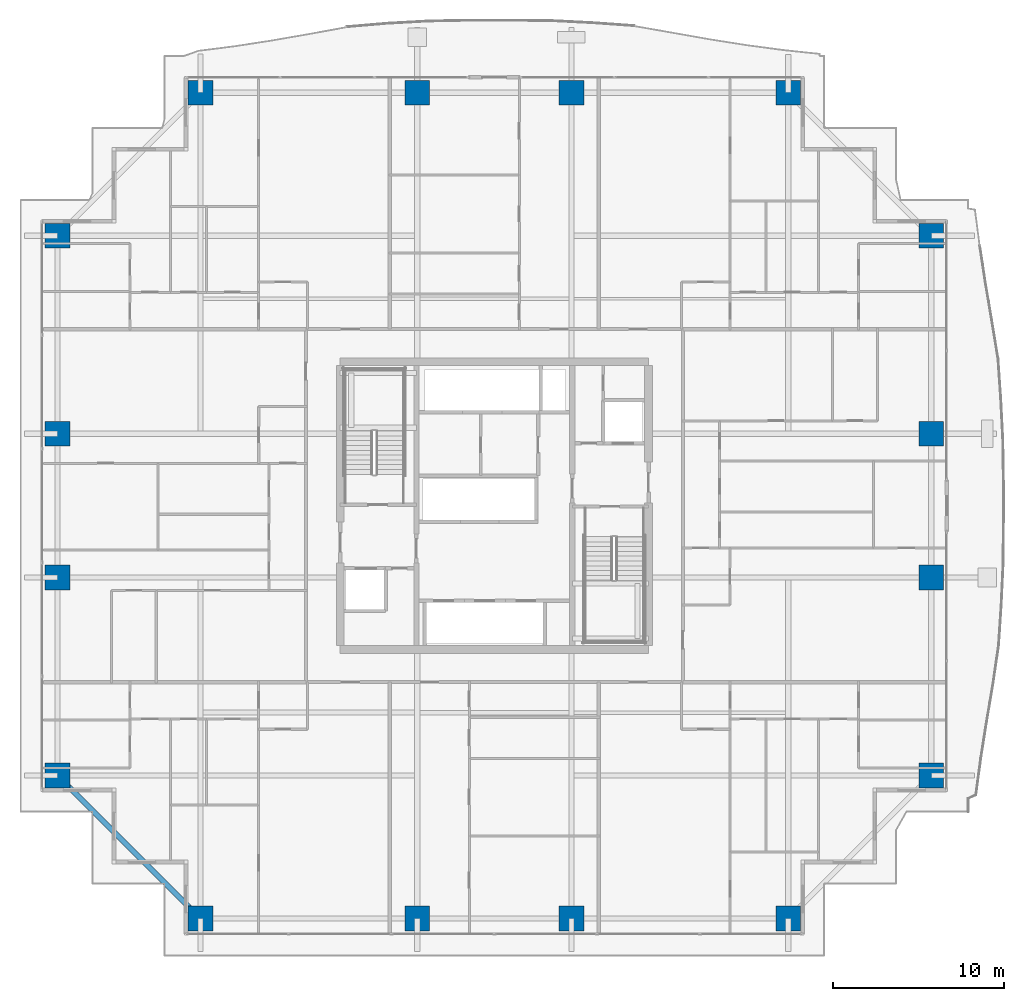
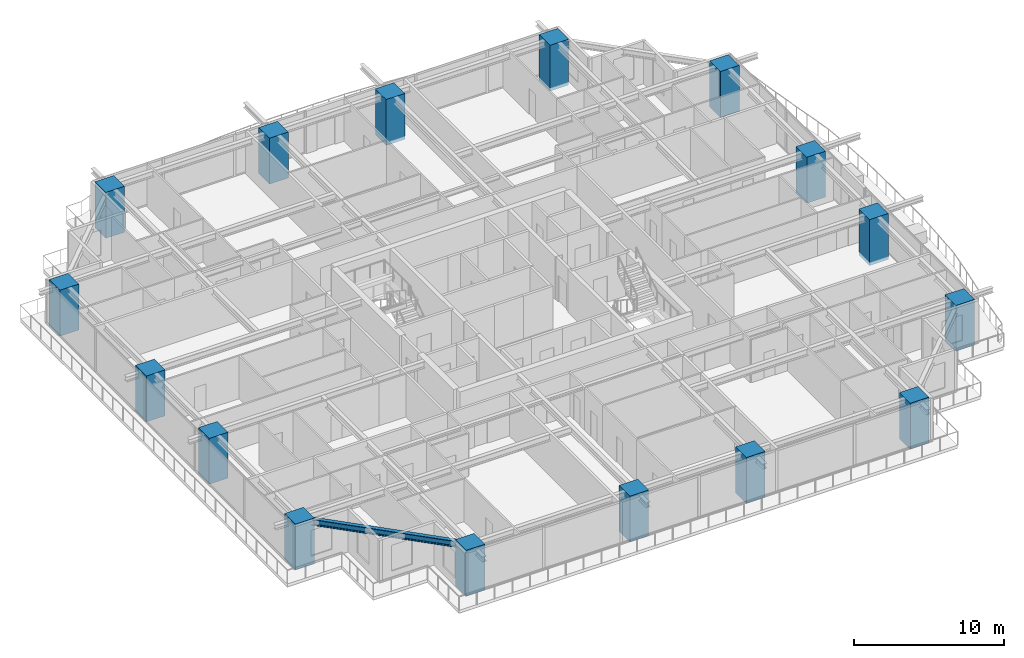
# One storey, part 1 of 37: 16 columns, 1 beam.
"""IFC4 building model written with IfcOpenShell, lengths in metres."""

from ifc_helpers import new_model, si_unit, direction, frame, origin, origin_2d, place, context, subcontext, project, spatial, rectangle, i_section, extrude, source, transform, mapped, material, material_profile, profile_set, type_object, element, save


model = new_model("IFC4")

# Units and contexts
model_context = context("Model", 3, precision=1e-05, world=origin(), true_north=direction((0.0, 1.0)))
body_context = subcontext(model_context, "Body", "Model", "MODEL_VIEW")
ifc_project = project(units=[si_unit("LENGTHUNIT", "METRE"), si_unit("AREAUNIT", "SQUARE_METRE"), si_unit("VOLUMEUNIT", "CUBIC_METRE"), si_unit("PLANEANGLEUNIT", "RADIAN"), si_unit("MASSUNIT", "GRAM", prefix="KILO")], contexts=[model_context])

# Site, building, storey
site_placement = place(None, origin())
site = spatial("IfcSite", under=ifc_project, at=site_placement, CompositionType="ELEMENT")
building_placement = place(site_placement, origin())
building = spatial("IfcBuilding", under=site, at=building_placement, Name="Serunith Strait Residences", CompositionType="ELEMENT")
storey_placement = place(building_placement, frame((0.0, 0.0, 34.199951171875)))
storey = spatial("IfcBuildingStorey", under=building, at=storey_placement, Name="L07", CompositionType="ELEMENT", Elevation=34.199951171875)

# Columns
ifc_material_1 = material(Name="Concrete C90/105", Category="concrete")
ifc_material_profile_1 = material_profile(ifc_material_1, rectangle(XDim=1.449951171875, YDim=1.449951171875, at=origin_2d()), Name="RC 1450x1450")
ifc_profile_set_1 = profile_set([ifc_material_profile_1], Name="Concrete C90/105")
column_type = type_object("IfcColumnType", Name="COL-RC-1450", PredefinedType="COLUMN", material=ifc_profile_set_1)
shared_shape_1 = source(origin(), body_context, "Body", "SweptSolid", [
    extrude(rectangle(XDim=1.449951171875, YDim=1.449951171875, at=origin_2d()), origin(), (0.0, 0.0, 1.0), 3.75),
])
for number, where, z_axis, x_axis, name in (
    (1, (15.25, 1.10009765625, -0.260009765625), (0.0, 0.0, 1.0), (1.0, 0.0, 0.0), "L07 Tower Mega-Column TC-S1"),
    (2, (27.89990234375, 1.10009765625, -0.260009765625), (0.0, 0.0, 1.0), (1.0, 0.0, 0.0), "L07 Tower Mega-Column TC-S2"),
    (3, (36.89990234375, 1.10009765625, -0.260009765625), (0.0, 0.0, 1.0), (1.0, 0.0, 0.0), "L07 Tower Mega-Column TC-S3"),
    (4, (49.550048828125, 1.10009765625, -0.260009765625), (0.0, 0.0, 1.0), (1.0, 0.0, 0.0), "L07 Tower Mega-Column TC-S4"),
    (5, (15.25, 49.300048828125, -0.260009765625), (0.0, 0.0, 1.0), (1.0, 0.0, 0.0), "L07 Tower Mega-Column TC-N1"),
    (6, (27.89990234375, 49.300048828125, -0.260009765625), (0.0, 0.0, 1.0), (1.0, 0.0, 0.0), "L07 Tower Mega-Column TC-N2"),
    (7, (36.89990234375, 49.300048828125, -0.260009765625), (0.0, 0.0, 1.0), (1.0, 0.0, 0.0), "L07 Tower Mega-Column TC-N3"),
    (8, (49.550048828125, 49.300048828125, -0.260009765625), (0.0, 0.0, 1.0), (1.0, 0.0, 0.0), "L07 Tower Mega-Column TC-N4"),
    (9, (57.89990234375, 9.449951171875, -0.260009765625), (0.0, 0.0, 1.0), (1.0, 0.0, 0.0), "L07 Tower Mega-Column TC-E1"),
    (10, (57.89990234375, 21.0, -0.260009765625), (0.0, 0.0, 1.0), (1.0, 0.0, 0.0), "L07 Tower Mega-Column TC-E2"),
    (11, (57.89990234375, 29.39990234375, -0.260009765625), (0.0, 0.0, 1.0), (1.0, 0.0, 0.0), "L07 Tower Mega-Column TC-E3"),
    (12, (57.89990234375, 40.949951171875, -0.260009765625), (0.0, 0.0, 1.0), (1.0, 0.0, 0.0), "L07 Tower Mega-Column TC-E4"),
    (13, (6.89990234375, 9.449951171875, -0.260009765625), (0.0, 0.0, 1.0), (1.0, 0.0, 0.0), "L07 Tower Mega-Column TC-W1"),
    (14, (6.89990234375, 21.0, -0.260009765625), (0.0, 0.0, 1.0), (1.0, 0.0, 0.0), "L07 Tower Mega-Column TC-W2"),
    (15, (6.89990234375, 29.39990234375, -0.260009765625), (0.0, 0.0, 1.0), (1.0, 0.0, 0.0), "L07 Tower Mega-Column TC-W3"),
    (16, (6.89990234375, 40.949951171875, -0.260009765625), (0.0, 0.0, 1.0), (1.0, 0.0, 0.0), "L07 Tower Mega-Column TC-W4"),
):
    element("IfcColumn", number, at=place(storey_placement, frame(where, z_axis=z_axis, x_axis=x_axis)), inside=storey, type_object=column_type, Name=name, PredefinedType="COLUMN", context=body_context, shape_type="MappedRepresentation", body=[
        mapped(shared_shape_1, transform((0.0, 0.0, 0.0), scale=1.0)),
    ])

# Beam
ifc_material_2 = material(Name="Steel S355J2", Category="steel")
ifc_material_profile_2 = material_profile(ifc_material_2, i_section(OverallWidth=0.300048828125, OverallDepth=0.5, WebThickness=0.014404296875, FlangeThickness=0.028076171875, FilletRadius=0.027099609375, at=origin_2d()), Name="HEB 500")
ifc_profile_set_2 = profile_set([ifc_material_profile_2], Name="Steel S355J2")
beam_type = type_object("IfcBeamType", Name="BM-HEB500", PredefinedType="BEAM", material=ifc_profile_set_2)
shared_shape_2 = source(origin(), body_context, "Body", "SweptSolid", [
    extrude(i_section(OverallWidth=0.300048828125, OverallDepth=0.5, WebThickness=0.014404296875, FlangeThickness=0.028076171875, FilletRadius=0.027099609375, at=origin_2d()), origin(), (0.0, 0.0, 1.0), 11.80859375),
])
beam_placement = place(storey_placement, frame((6.89990234375, 9.449951171875, 3.20703125), z_axis=(0.707117118476, -0.707096443746, 0.0), x_axis=(0.707096443746, 0.707117118476, 0.0)))
element("IfcBeam", 17, at=beam_placement, inside=storey, type_object=beam_type, Name="L07 Perimeter Ring Beam 16", PredefinedType="BEAM", context=body_context, shape_type="MappedRepresentation", body=[
    mapped(shared_shape_2, transform((0.0, 0.0, 0.0), scale=1.0)),
])

save(model, "model.ifc")
